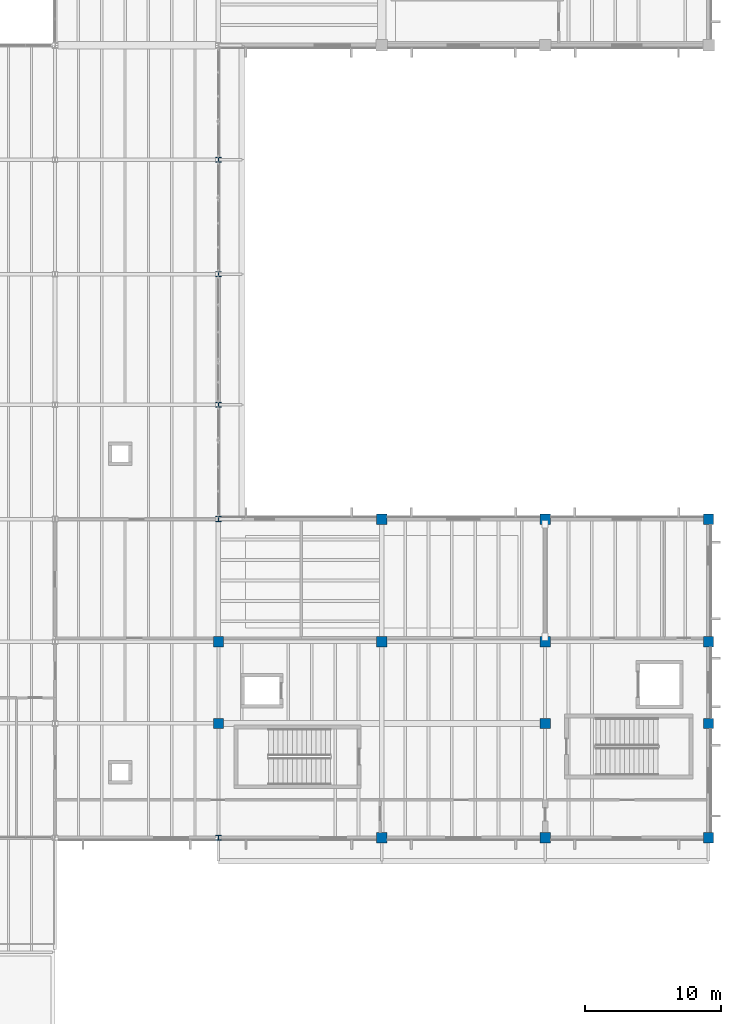
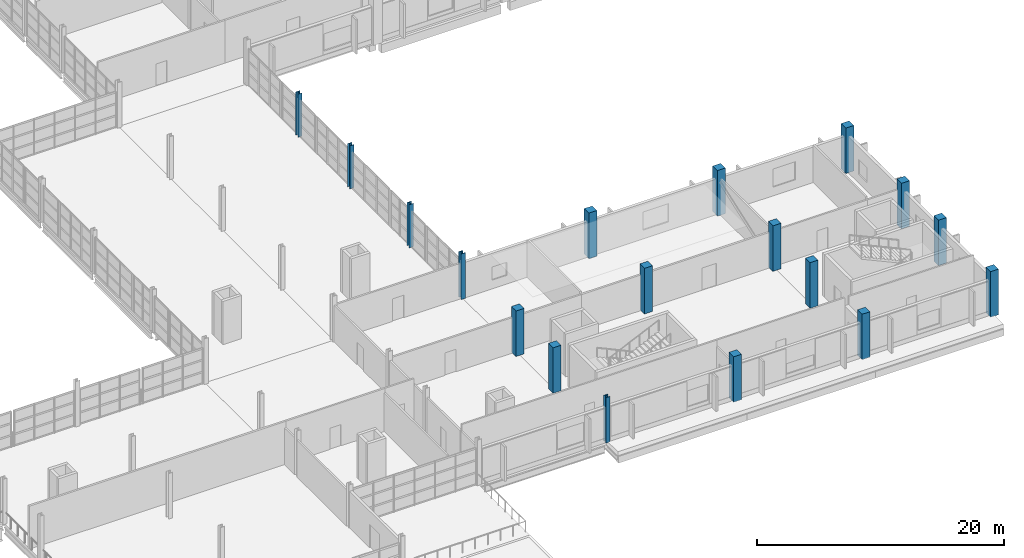
# One storey, part 9 of 114: 18 columns.
"""IFC4 building model written with IfcOpenShell, lengths in metres."""

from ifc_helpers import new_model, si_unit, direction, frame, origin, origin_2d, place, context, subcontext, project, spatial, rectangle, i_section, extrude, material, material_profile, profile_set, type_object, element, save


model = new_model("IFC4")

# Units and contexts
model_context = context("Model", 3, precision=1e-05, world=origin(), true_north=direction((0.0, 1.0)))
body_context = subcontext(model_context, "Body", "Model", "MODEL_VIEW")
ifc_project = project(units=[si_unit("LENGTHUNIT", "METRE"), si_unit("AREAUNIT", "SQUARE_METRE"), si_unit("VOLUMEUNIT", "CUBIC_METRE"), si_unit("PLANEANGLEUNIT", "RADIAN"), si_unit("MASSUNIT", "GRAM", prefix="KILO")], contexts=[model_context])

# Site, building, storey
site_placement = place(None, origin())
site = spatial("IfcSite", under=ifc_project, at=site_placement, CompositionType="ELEMENT")
building_placement = place(site_placement, origin())
building = spatial("IfcBuilding", under=site, at=building_placement, Name="Kelmvaro Bay Concert Hall", CompositionType="ELEMENT")
storey_placement = place(building_placement, frame((0.0, 0.0, 4.800048828125)))
storey = spatial("IfcBuildingStorey", under=building, at=storey_placement, Name="L01", CompositionType="ELEMENT", Elevation=4.800048828125)

# Columns
ifc_material_1 = material(Name="Steel ASTM A992 Grade 50", Category="steel")
ifc_material_profile_1 = material_profile(ifc_material_1, i_section(OverallWidth=0.40087890625, OverallDepth=0.39892578125, WebThickness=0.02490234375, FlangeThickness=0.03955078125, at=origin_2d()), Name="W14X211")
ifc_profile_set_1 = profile_set([ifc_material_profile_1], Name="Steel ASTM A992 Grade 50")
column_type_1 = type_object("IfcColumnType", Name="Bridge Anchor Column W14x211", PredefinedType="COLUMN", material=ifc_profile_set_1)
for number, where, z_axis, x_axis, name in (
    (1, (132.0, 15.60009765625, 0.0), (0.0, 0.0, 1.0), (1.0, 0.0, 0.0), "L01 Column V4W-132-156"),
    (2, (132.0, 39.0, 0.0), (0.0, 0.0, 1.0), (1.0, 0.0, 0.0), "L01 Column V4W-132-390"),
):
    element("IfcColumn", number, at=place(storey_placement, frame(where, z_axis=z_axis, x_axis=x_axis)), inside=storey, type_object=column_type_1, Name=name, PredefinedType="COLUMN", context=body_context, shape_type="SweptSolid", body=[
        extrude(i_section(OverallWidth=0.40087890625, OverallDepth=0.39892578125, WebThickness=0.02490234375, FlangeThickness=0.03955078125, at=origin_2d()), origin(), (0.0, 0.0, 1.0), 4.5),
    ])
ifc_material_2 = material(Name="Steel ASTM A992 Grade 50", Category="steel")
ifc_material_profile_2 = material_profile(ifc_material_2, i_section(OverallWidth=0.39599609375, OverallDepth=0.381103515625, WebThickness=0.018798828125, FlangeThickness=0.0302734375, at=origin_2d()), Name="W14X159")
ifc_profile_set_2 = profile_set([ifc_material_profile_2], Name="Steel ASTM A992 Grade 50")
column_type_2 = type_object("IfcColumnType", Name="Foyer Concourse Column W14x159", PredefinedType="COLUMN", material=ifc_profile_set_2)
for number, where, z_axis, x_axis, name in (
    (3, (132.0, 47.39990234375, 0.0), (0.0, 0.0, 1.0), (1.0, 0.0, 0.0), "L01 Column V5E-132-474"),
    (4, (132.0, 57.0, 0.0), (0.0, 0.0, 1.0), (1.0, 0.0, 0.0), "L01 Column V5E-132-570"),
    (5, (132.0, 65.39990234375, 0.0), (0.0, 0.0, 1.0), (1.0, 0.0, 0.0), "L01 Column V5E-132-654"),
):
    element("IfcColumn", number, at=place(storey_placement, frame(where, z_axis=z_axis, x_axis=x_axis)), inside=storey, type_object=column_type_2, Name=name, PredefinedType="COLUMN", context=body_context, shape_type="SweptSolid", body=[
        extrude(i_section(OverallWidth=0.39599609375, OverallDepth=0.381103515625, WebThickness=0.018798828125, FlangeThickness=0.0302734375, at=origin_2d()), origin(), (0.0, 0.0, 1.0), 4.260009765625),
    ])
ifc_material_3 = material(Name="Concrete C40/50", Category="concrete")
ifc_material_profile_3 = material_profile(ifc_material_3, rectangle(XDim=0.75, YDim=0.75, at=origin_2d()), Name="RC-COL-750X750")
ifc_profile_set_3 = profile_set([ifc_material_profile_3], Name="Concrete C40/50")
column_type_3 = type_object("IfcColumnType", Name="Pavilion Column RC750x750", PredefinedType="COLUMN", material=ifc_profile_set_3)
for number, where, z_axis, x_axis, name in (
    (6, (132.0, 24.0, 0.0), (0.0, 0.0, 1.0), (1.0, 0.0, 0.0), "L01 Column V4W-132-240"),
    (7, (132.0, 30.0, 0.0), (0.0, 0.0, 1.0), (1.0, 0.0, 0.0), "L01 Column V4W-132-300"),
    (8, (144.0, 15.60009765625, 0.0), (0.0, 0.0, 1.0), (1.0, 0.0, 0.0), "L01 Column V4P-144-156"),
    (9, (144.0, 30.0, 0.0), (0.0, 0.0, 1.0), (1.0, 0.0, 0.0), "L01 Column V4P-144-300"),
    (10, (144.0, 39.0, 0.0), (0.0, 0.0, 1.0), (1.0, 0.0, 0.0), "L01 Column V4P-144-390"),
    (11, (156.0, 15.60009765625, 0.0), (0.0, 0.0, 1.0), (1.0, 0.0, 0.0), "L01 Column V4P-156-156"),
    (12, (156.0, 24.0, 0.0), (0.0, 0.0, 1.0), (1.0, 0.0, 0.0), "L01 Column V4P-156-240"),
    (13, (156.0, 30.0, 0.0), (0.0, 0.0, 1.0), (1.0, 0.0, 0.0), "L01 Column V4P-156-300"),
    (14, (156.0, 39.0, 0.0), (0.0, 0.0, 1.0), (1.0, 0.0, 0.0), "L01 Column V4P-156-390"),
    (15, (168.0, 15.60009765625, 0.0), (0.0, 0.0, 1.0), (1.0, 0.0, 0.0), "L01 Column V4P-168-156"),
    (16, (168.0, 24.0, 0.0), (0.0, 0.0, 1.0), (1.0, 0.0, 0.0), "L01 Column V4P-168-240"),
    (17, (168.0, 30.0, 0.0), (0.0, 0.0, 1.0), (1.0, 0.0, 0.0), "L01 Column V4P-168-300"),
    (18, (168.0, 39.0, 0.0), (0.0, 0.0, 1.0), (1.0, 0.0, 0.0), "L01 Column V4P-168-390"),
):
    element("IfcColumn", number, at=place(storey_placement, frame(where, z_axis=z_axis, x_axis=x_axis)), inside=storey, type_object=column_type_3, Name=name, PredefinedType="COLUMN", context=body_context, shape_type="SweptSolid", body=[
        extrude(rectangle(XDim=0.75, YDim=0.75, at=origin_2d()), origin(), (0.0, 0.0, 1.0), 4.5),
    ])

save(model, "model.ifc")
